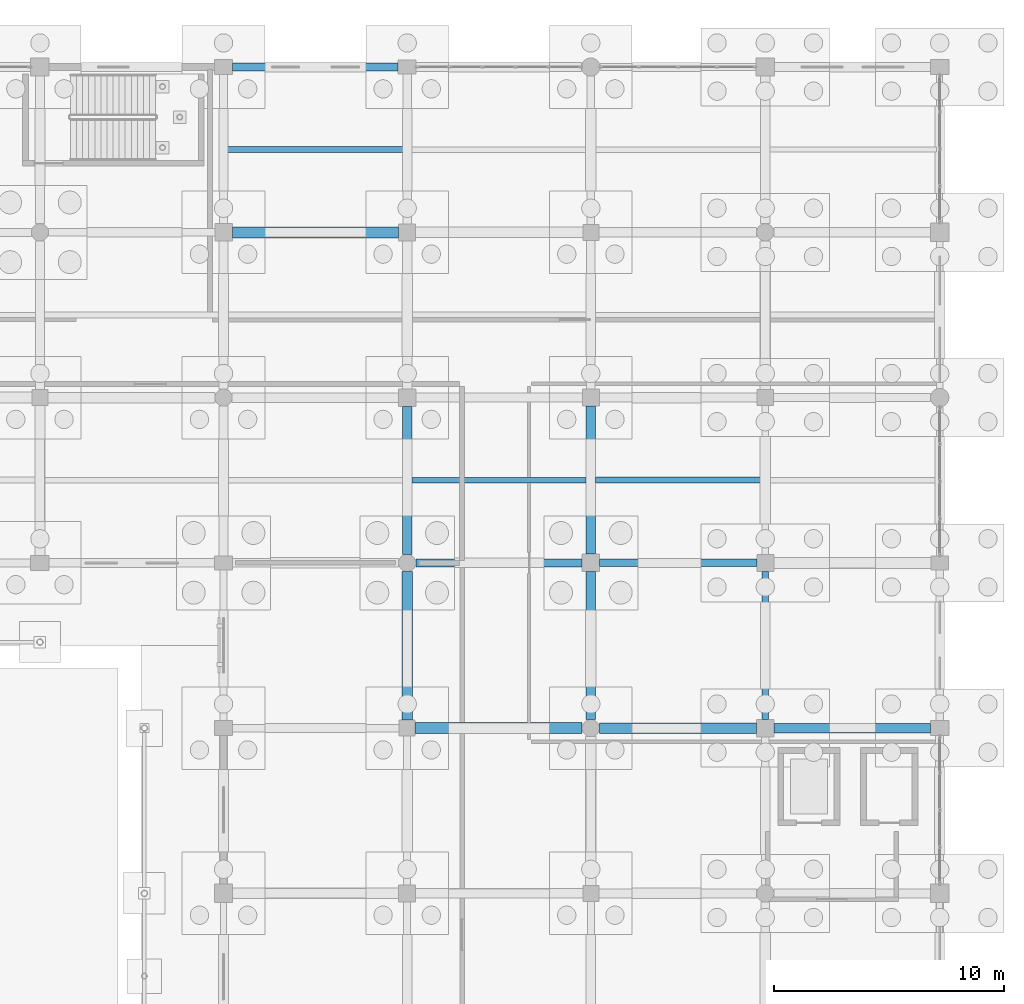
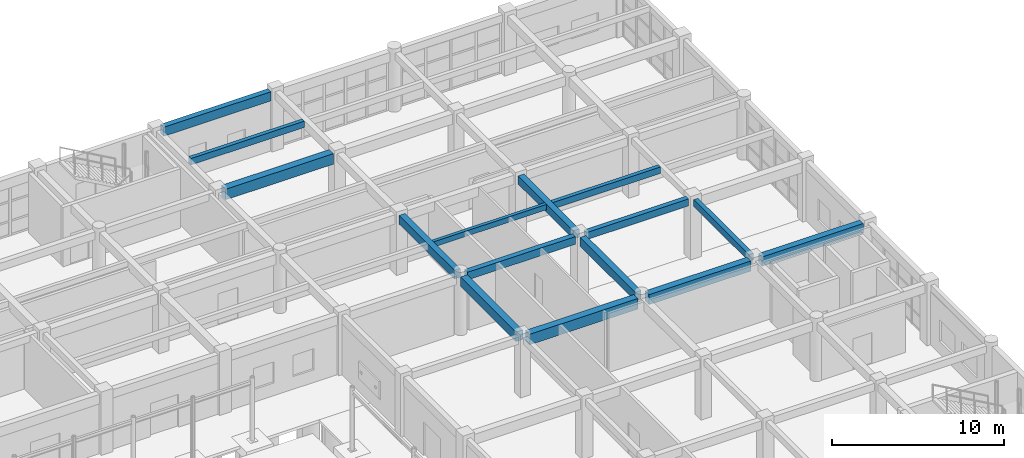
# One storey, part 102 of 166: 15 beams.
"""IFC4 building model written with IfcOpenShell, lengths in metres."""

from ifc_helpers import new_model, si_unit, direction, frame, origin, origin_2d, place, context, subcontext, project, spatial, rectangle, extrude, material, material_profile, profile_set, type_object, element, save


model = new_model("IFC4")

# Units and contexts
model_context = context("Model", 3, precision=1e-05, world=origin(), true_north=direction((0.0, 1.0)))
body_context = subcontext(model_context, "Body", "Model", "MODEL_VIEW")
ifc_project = project(units=[si_unit("LENGTHUNIT", "METRE"), si_unit("AREAUNIT", "SQUARE_METRE"), si_unit("VOLUMEUNIT", "CUBIC_METRE"), si_unit("PLANEANGLEUNIT", "RADIAN"), si_unit("MASSUNIT", "GRAM", prefix="KILO")], contexts=[model_context])

# Site, building, storey
site_placement = place(None, origin())
site = spatial("IfcSite", under=ifc_project, at=site_placement, CompositionType="ELEMENT")
building_placement = place(site_placement, origin())
building = spatial("IfcBuilding", under=site, at=building_placement, Name="Kharva Crest Polytechnic", CompositionType="ELEMENT")
storey_placement = place(building_placement, origin())
storey = spatial("IfcBuildingStorey", under=building, at=storey_placement, Name="L00", CompositionType="ELEMENT", Elevation=0.0)

# Beams
ifc_material = material(Name="Concrete C35/45", Category="concrete")
ifc_material_profile_1 = material_profile(ifc_material, rectangle(XDim=0.300048828125, YDim=0.47998046875, at=origin_2d()), Name="RECT 300 X 480")
ifc_profile_set_1 = profile_set([ifc_material_profile_1], Name="Concrete C35/45")
beam_type_1 = type_object("IfcBeamType", Name="BM-RC-300X480", PredefinedType="BEAM", material=ifc_profile_set_1)
beam_1_placement = place(storey_placement, frame((176.39990234375, 93.580078125, 3.97998046875), z_axis=(0.0, 1.0, 0.0), x_axis=(-1.0, 0.0, 0.0)))
element("IfcBeam", 1, at=beam_1_placement, inside=storey, type_object=beam_type_1, Name="L00 Girder 23/N-P", PredefinedType="BEAM", context=body_context, shape_type="SweptSolid", body=[
    extrude(rectangle(XDim=0.300048828125, YDim=0.47998046875, at=origin_2d()), origin(), (0.0, 0.0, 1.0), 6.449951171875),
])
ifc_material_profile_2 = material_profile(ifc_material, rectangle(XDim=0.320068359375, YDim=0.5, at=origin_2d()), Name="RECT 320 X 500")
ifc_profile_set_2 = profile_set([ifc_material_profile_2], Name="Concrete C35/45")
beam_type_2 = type_object("IfcBeamType", Name="BM-RC-320X500", PredefinedType="BEAM", material=ifc_profile_set_2)
beam_2_placement = place(storey_placement, frame((169.179931640625, 100.39990234375, 3.969970703125), z_axis=(1.0, 0.0, 0.0), x_axis=(0.0, 1.0, 0.0)))
element("IfcBeam", 2, at=beam_2_placement, inside=storey, type_object=beam_type_2, Name="L00 Beam P/22-23", PredefinedType="BEAM", context=body_context, shape_type="SweptSolid", body=[
    extrude(rectangle(XDim=0.320068359375, YDim=0.5, at=origin_2d()), origin(), (0.0, 0.0, 1.0), 6.85009765625),
])
ifc_material_profile_3 = material_profile(ifc_material, rectangle(XDim=0.35009765625, YDim=0.550048828125, at=origin_2d()), Name="RECT 350 X 550")
ifc_profile_set_3 = profile_set([ifc_material_profile_3], Name="Concrete C35/45")
beam_type_3 = type_object("IfcBeamType", Name="BM-RC-350X550", PredefinedType="BEAM", material=ifc_profile_set_3)
beam_3_placement = place(storey_placement, frame((161.175048828125, 100.39990234375, 3.945068359375), z_axis=(1.0, 0.0, 0.0), x_axis=(0.0, 1.0, 0.0)))
element("IfcBeam", 3, at=beam_3_placement, inside=storey, type_object=beam_type_3, Name="L00 Beam P/21-22", PredefinedType="BEAM", context=body_context, shape_type="SweptSolid", body=[
    extrude(rectangle(XDim=0.35009765625, YDim=0.550048828125, at=origin_2d()), origin(), (0.0, 0.0, 1.0), 7.244873046875),
])
ifc_material_profile_4 = material_profile(ifc_material, rectangle(XDim=0.39990234375, YDim=0.580078125, at=origin_2d()), Name="RECT 400 X 580")
ifc_profile_set_4 = profile_set([ifc_material_profile_4], Name="Concrete C35/45")
beam_type_4 = type_object("IfcBeamType", Name="BM-RC-400X580", PredefinedType="BEAM", material=ifc_profile_set_4)
beam_4_placement = place(storey_placement, frame((168.800048828125, 100.780029296875, 3.929931640625), z_axis=(0.0, 1.0, 0.0), x_axis=(-1.0, 0.0, 0.0)))
element("IfcBeam", 4, at=beam_4_placement, inside=storey, type_object=beam_type_4, Name="L00 Girder 22/P-Q", PredefinedType="BEAM", context=body_context, shape_type="SweptSolid", body=[
    extrude(rectangle(XDim=0.39990234375, YDim=0.580078125, at=origin_2d()), origin(), (0.0, 0.0, 1.0), 6.449951171875),
])
ifc_material_profile_5 = material_profile(ifc_material, rectangle(XDim=0.39990234375, YDim=0.6201171875, at=origin_2d()), Name="RECT 400 X 620")
ifc_profile_set_5 = profile_set([ifc_material_profile_5], Name="Concrete C35/45")
beam_type_5 = type_object("IfcBeamType", Name="BM-RC-400X620", PredefinedType="BEAM", material=ifc_profile_set_5)
for number, where, z_axis, x_axis, name in (
    (5, (160.800048828125, 100.77490234375, 3.909912109375), (0.0, 1.0, 0.0), (-1.0, 0.0, 0.0), "L00 Girder 21/P-Q"),
    (6, (168.800048828125, 93.574951171875, 3.909912109375), (0.0, 1.0, 0.0), (-1.0, 0.0, 0.0), "L00 Girder 22/N-P"),
):
    element("IfcBeam", number, at=place(storey_placement, frame(where, z_axis=z_axis, x_axis=x_axis)), inside=storey, type_object=beam_type_5, Name=name, PredefinedType="BEAM", context=body_context, shape_type="SweptSolid", body=[
        extrude(rectangle(XDim=0.39990234375, YDim=0.6201171875, at=origin_2d()), origin(), (0.0, 0.0, 1.0), 6.445068359375),
    ])
ifc_material_profile_6 = material_profile(ifc_material, rectangle(XDim=0.419921875, YDim=0.659912109375, at=origin_2d()), Name="RECT 420 X 660")
ifc_profile_set_6 = profile_set([ifc_material_profile_6], Name="Concrete C35/45")
beam_type_6 = type_object("IfcBeamType", Name="BM-RC-420X660", PredefinedType="BEAM", material=ifc_profile_set_6)
beam_5_placement = place(storey_placement, frame((176.780029296875, 93.199951171875, 3.889892578125), z_axis=(1.0, 0.0, 0.0), x_axis=(0.0, 1.0, 0.0)))
element("IfcBeam", 7, at=beam_5_placement, inside=storey, type_object=beam_type_6, Name="L00 Beam N/23-24", PredefinedType="BEAM", context=body_context, shape_type="SweptSolid", body=[
    extrude(rectangle(XDim=0.419921875, YDim=0.659912109375, at=origin_2d()), origin(), (0.0, 0.0, 1.0), 6.820068359375),
])
ifc_material_profile_7 = material_profile(ifc_material, rectangle(XDim=0.449951171875, YDim=0.679931640625, at=origin_2d()), Name="RECT 450 X 680")
ifc_profile_set_7 = profile_set([ifc_material_profile_7], Name="Concrete C35/45")
beam_type_7 = type_object("IfcBeamType", Name="BM-RC-450X680", PredefinedType="BEAM", material=ifc_profile_set_7)
beam_6_placement = place(storey_placement, frame((160.800048828125, 93.550048828125, 3.8798828125), z_axis=(0.0, 1.0, 0.0), x_axis=(-1.0, 0.0, 0.0)))
element("IfcBeam", 8, at=beam_6_placement, inside=storey, type_object=beam_type_7, Name="L00 Girder 21/N-P", PredefinedType="BEAM", context=body_context, shape_type="SweptSolid", body=[
    extrude(rectangle(XDim=0.449951171875, YDim=0.679931640625, at=origin_2d()), origin(), (0.0, 0.0, 1.0), 6.474853515625),
])
ifc_material_profile_8 = material_profile(ifc_material, rectangle(XDim=0.449951171875, YDim=0.719970703125, at=origin_2d()), Name="RECT 450 X 720")
ifc_profile_set_8 = profile_set([ifc_material_profile_8], Name="Concrete C35/45")
beam_type_8 = type_object("IfcBeamType", Name="BM-RC-450X720", PredefinedType="BEAM", material=ifc_profile_set_8)
beam_7_placement = place(storey_placement, frame((169.175048828125, 93.199951171875, 3.860107421875), z_axis=(1.0, 0.0, 0.0), x_axis=(0.0, 1.0, 0.0)))
element("IfcBeam", 9, at=beam_7_placement, inside=storey, type_object=beam_type_8, Name="L00 Beam N/22-23", PredefinedType="BEAM", context=body_context, shape_type="SweptSolid", body=[
    extrude(rectangle(XDim=0.449951171875, YDim=0.719970703125, at=origin_2d()), origin(), (0.0, 0.0, 1.0), 6.844970703125),
])
ifc_material_profile_9 = material_profile(ifc_material, rectangle(XDim=0.47998046875, YDim=0.75, at=origin_2d()), Name="RECT 480 X 750")
ifc_profile_set_9 = profile_set([ifc_material_profile_9], Name="Concrete C35/45")
beam_type_9 = type_object("IfcBeamType", Name="BM-RC-480X750", PredefinedType="BEAM", material=ifc_profile_set_9)
beam_8_placement = place(storey_placement, frame((161.14990234375, 93.199951171875, 3.844970703125), z_axis=(1.0, 0.0, 0.0), x_axis=(0.0, 1.0, 0.0)))
element("IfcBeam", 10, at=beam_8_placement, inside=storey, type_object=beam_type_9, Name="L00 Beam N/21-22", PredefinedType="BEAM", context=body_context, shape_type="SweptSolid", body=[
    extrude(rectangle(XDim=0.47998046875, YDim=0.75, at=origin_2d()), origin(), (0.0, 0.0, 1.0), 7.275146484375),
])
beam_9_placement = place(storey_placement, frame((153.179931640625, 114.800048828125, 3.844970703125), z_axis=(1.0, 0.0, 0.0), x_axis=(0.0, 1.0, 0.0)))
element("IfcBeam", 11, at=beam_9_placement, inside=storey, type_object=beam_type_9, Name="L00 Beam R/20-21", PredefinedType="BEAM", context=body_context, shape_type="SweptSolid", body=[
    extrude(rectangle(XDim=0.47998046875, YDim=0.75, at=origin_2d()), origin(), (0.0, 0.0, 1.0), 7.25),
])
ifc_material_profile_10 = material_profile(ifc_material, rectangle(XDim=0.219970703125, YDim=0.3798828125, at=origin_2d()), Name="RECT 220 X 380")
ifc_profile_set_10 = profile_set([ifc_material_profile_10], Name="Concrete C35/45")
beam_type_10 = type_object("IfcBeamType", Name="JS-RC-220X380", PredefinedType="JOIST", material=ifc_profile_set_10)
beam_10_placement = place(storey_placement, frame((161.0, 104.0, 4.030029296875), z_axis=(1.0, 0.0, 0.0), x_axis=(0.0, 1.0, 0.0)))
element("IfcBeam", 12, at=beam_10_placement, inside=storey, type_object=beam_type_10, Name="L00 Floor Joist 22", PredefinedType="JOIST", context=body_context, shape_type="SweptSolid", body=[
    extrude(rectangle(XDim=0.219970703125, YDim=0.3798828125, at=origin_2d()), origin(), (0.0, 0.0, 1.0), 7.60009765625),
])
ifc_material_profile_11 = material_profile(ifc_material, rectangle(XDim=0.260009765625, YDim=0.4599609375, at=origin_2d()), Name="RECT 260 X 460")
ifc_profile_set_11 = profile_set([ifc_material_profile_11], Name="Concrete C35/45")
beam_type_11 = type_object("IfcBeamType", Name="JS-RC-260X460", PredefinedType="JOIST", material=ifc_profile_set_11)
beam_11_placement = place(storey_placement, frame((169.0, 104.0, 3.989990234375), z_axis=(1.0, 0.0, 0.0), x_axis=(0.0, 1.0, 0.0)))
element("IfcBeam", 13, at=beam_11_placement, inside=storey, type_object=beam_type_11, Name="L00 Floor Joist 23", PredefinedType="JOIST", context=body_context, shape_type="SweptSolid", body=[
    extrude(rectangle(XDim=0.260009765625, YDim=0.4599609375, at=origin_2d()), origin(), (0.0, 0.0, 1.0), 7.25),
])
beam_12_placement = place(storey_placement, frame((152.97998046875, 118.39990234375, 3.989990234375), z_axis=(1.0, 0.0, 0.0), x_axis=(0.0, 1.0, 0.0)))
element("IfcBeam", 14, at=beam_12_placement, inside=storey, type_object=beam_type_11, Name="L00 Floor Joist 51", PredefinedType="JOIST", context=body_context, shape_type="SweptSolid", body=[
    extrude(rectangle(XDim=0.260009765625, YDim=0.4599609375, at=origin_2d()), origin(), (0.0, 0.0, 1.0), 7.64013671875),
])
ifc_material_profile_12 = material_profile(ifc_material, rectangle(XDim=0.360107421875, YDim=0.64990234375, at=origin_2d()), Name="RECT 360 X 650")
ifc_profile_set_12 = profile_set([ifc_material_profile_12], Name="Concrete C35/45")
beam_type_12 = type_object("IfcBeamType", Name="SP-RC-360X650", PredefinedType="SPANDREL", material=ifc_profile_set_12)
beam_13_placement = place(storey_placement, frame((153.199951171875, 122.0, 3.89501953125), z_axis=(1.0, 0.0, 0.0), x_axis=(0.0, 1.0, 0.0)))
element("IfcBeam", 15, at=beam_13_placement, inside=storey, type_object=beam_type_12, Name="L00 Beam S/20-21", PredefinedType="SPANDREL", context=body_context, shape_type="SweptSolid", body=[
    extrude(rectangle(XDim=0.360107421875, YDim=0.64990234375, at=origin_2d()), origin(), (0.0, 0.0, 1.0), 7.2099609375),
])

save(model, "model.ifc")
